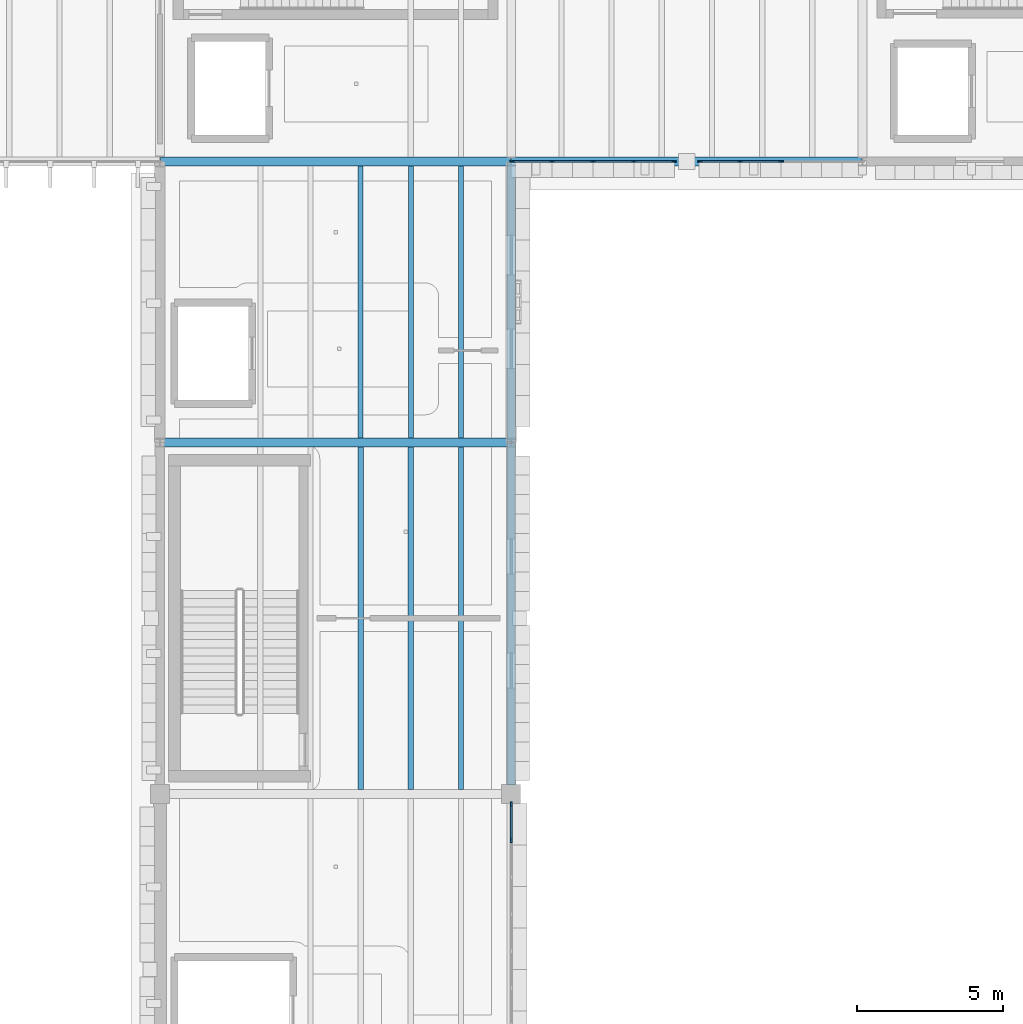
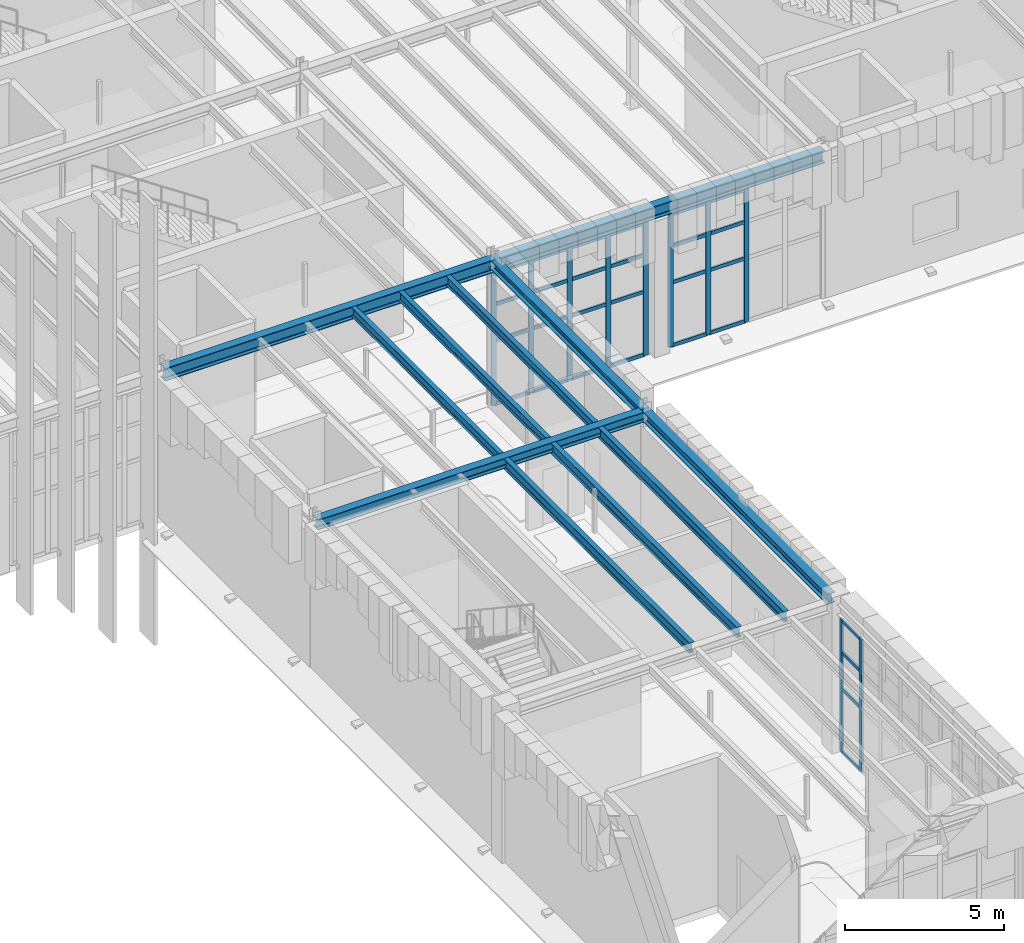
# One storey, part 31 of 83: 38 members, 11 beams, 3 elements without a shape of their own.
"""IFC4 building model written with IfcOpenShell, lengths in metres."""

from ifc_helpers import new_model, si_unit, direction, frame, origin, origin_2d, place, context, subcontext, project, spatial, rectangle, i_section, extrude, material, layer, layer_set, material_profile, profile_set, type_object, element, aggregate, save


model = new_model("IFC4")

# Units and contexts
model_context = context("Model", 3, precision=1e-05, world=origin(), true_north=direction((0.0, 1.0)))
body_context = subcontext(model_context, "Body", "Model", "MODEL_VIEW")
ifc_project = project(units=[si_unit("LENGTHUNIT", "METRE"), si_unit("AREAUNIT", "SQUARE_METRE"), si_unit("VOLUMEUNIT", "CUBIC_METRE"), si_unit("PLANEANGLEUNIT", "RADIAN"), si_unit("MASSUNIT", "GRAM", prefix="KILO")], contexts=[model_context])

# Site, building, storey
site_placement = place(None, origin())
site = spatial("IfcSite", under=ifc_project, at=site_placement, CompositionType="ELEMENT")
building_placement = place(site_placement, origin())
building = spatial("IfcBuilding", under=site, at=building_placement, Name="Zlatogorsky Bluff Art Gallery", CompositionType="ELEMENT")
storey_placement = place(building_placement, frame((0.0, 0.0, 10.800048828125)))
storey = spatial("IfcBuildingStorey", under=building, at=storey_placement, Name="L02", CompositionType="ELEMENT", Elevation=10.800048828125)

# Beams
ifc_material_1 = material(Name="Steel S355", Category="steel")
ifc_material_profile_1 = material_profile(ifc_material_1, i_section(OverallWidth=0.300048828125, OverallDepth=0.489990234375, WebThickness=0.011962890625, FlangeThickness=0.02294921875, FilletRadius=0.027099609375, at=origin_2d()), Name="HEA 500")
ifc_profile_set_1 = profile_set([ifc_material_profile_1], Name="Steel S355")
beam_type_1 = type_object("IfcBeamType", Name="Beam BM-07 HEA 500", PredefinedType="BEAM", material=ifc_profile_set_1)
for number, where, z_axis, x_axis, name in (
    (1, (120.014892578125, 84.0, 5.445068359375), (1.0, 0.0, 0.0), (0.0, 1.0, 0.0), "Primary girder BM-07 L02 L-M/9"),
    (2, (132.014892578125, 84.0, 5.445068359375), (1.0, 0.0, 0.0), (0.0, 1.0, 0.0), "Primary girder BM-07 L02 M-N/9"),
):
    element("IfcBeam", number, at=place(storey_placement, frame(where, z_axis=z_axis, x_axis=x_axis)), inside=storey, type_object=beam_type_1, Name=name, PredefinedType="BEAM", context=body_context, shape_type="SweptSolid", body=[
        extrude(i_section(OverallWidth=0.300048828125, OverallDepth=0.489990234375, WebThickness=0.011962890625, FlangeThickness=0.02294921875, FilletRadius=0.027099609375, at=origin_2d()), origin(), (0.0, 0.0, 1.0), 11.97021484375),
    ])
ifc_material_profile_2 = material_profile(ifc_material_1, i_section(OverallWidth=0.300048828125, OverallDepth=0.389892578125, WebThickness=0.010986328125, FlangeThickness=0.01904296875, FilletRadius=0.027099609375, at=origin_2d()), Name="HEA 400")
ifc_profile_set_2 = profile_set([ifc_material_profile_2], Name="Steel S355")
beam_type_2 = type_object("IfcBeamType", Name="Beam BM-09 HEA 400", PredefinedType="BEAM", material=ifc_profile_set_2)
beam_1_placement = place(storey_placement, frame((120.014892578125, 74.39990234375, 5.494873046875), z_axis=(1.0, 0.0, 0.0), x_axis=(0.0, 1.0, 0.0)))
element("IfcBeam", 3, at=beam_1_placement, inside=storey, type_object=beam_type_2, Name="Primary girder BM-09 L02 L-M/8", PredefinedType="BEAM", context=body_context, shape_type="SweptSolid", body=[
    extrude(i_section(OverallWidth=0.300048828125, OverallDepth=0.389892578125, WebThickness=0.010986328125, FlangeThickness=0.01904296875, FilletRadius=0.027099609375, at=origin_2d()), origin(), (0.0, 0.0, 1.0), 11.97021484375),
])
beam_2_placement = place(storey_placement, frame((132.0, 62.705078125, 5.494873046875), z_axis=(0.0, 1.0, 0.0), x_axis=(-1.0, 0.0, 0.0)))
element("IfcBeam", 4, at=beam_2_placement, inside=storey, type_object=beam_type_2, Name="Primary girder BM-09 L02 M/7-8", PredefinedType="BEAM", context=body_context, shape_type="SweptSolid", body=[
    extrude(i_section(OverallWidth=0.300048828125, OverallDepth=0.389892578125, WebThickness=0.010986328125, FlangeThickness=0.01904296875, FilletRadius=0.027099609375, at=origin_2d()), origin(), (0.0, 0.0, 1.0), 11.679931640625),
])
ifc_material_profile_3 = material_profile(ifc_material_1, i_section(OverallWidth=0.300048828125, OverallDepth=0.35009765625, WebThickness=0.010009765625, FlangeThickness=0.017578125, FilletRadius=0.027099609375, at=origin_2d()), Name="HEA 360")
ifc_profile_set_3 = profile_set([ifc_material_profile_3], Name="Steel S355")
beam_type_3 = type_object("IfcBeamType", Name="Beam BM-10 HEA 360", PredefinedType="BEAM", material=ifc_profile_set_3)
beam_3_placement = place(storey_placement, frame((132.0, 74.4150390625, 5.514892578125), z_axis=(0.0, 1.0, 0.0), x_axis=(-1.0, 0.0, 0.0)))
element("IfcBeam", 5, at=beam_3_placement, inside=storey, type_object=beam_type_3, Name="Primary girder BM-10 L02 M/8-9", PredefinedType="BEAM", context=body_context, shape_type="SweptSolid", body=[
    extrude(i_section(OverallWidth=0.300048828125, OverallDepth=0.35009765625, WebThickness=0.010009765625, FlangeThickness=0.017578125, FilletRadius=0.027099609375, at=origin_2d()), origin(), (0.0, 0.0, 1.0), 9.570068359375),
])
ifc_material_profile_4 = material_profile(ifc_material_1, i_section(OverallWidth=0.169921875, OverallDepth=0.360107421875, WebThickness=0.008056640625, FlangeThickness=0.0126953125, FilletRadius=0.01806640625, at=origin_2d()), Name="IPE 360")
ifc_profile_set_4 = profile_set([ifc_material_profile_4], Name="Steel S355")
beam_type_4 = type_object("IfcBeamType", Name="Beam JS-04 IPE 360", PredefinedType="JOIST", material=ifc_profile_set_4)
for number, where, z_axis, x_axis, name in (
    (6, (126.857177734375, 74.550048828125, 5.510009765625), (0.0, 1.0, 0.0), (-1.0, 0.0, 0.0), "Composite floor joist JS-04 L02 10.07.4"),
    (7, (128.571533203125, 74.550048828125, 5.510009765625), (0.0, 1.0, 0.0), (-1.0, 0.0, 0.0), "Composite floor joist JS-04 L02 10.07.5"),
    (8, (130.28564453125, 74.550048828125, 5.510009765625), (0.0, 1.0, 0.0), (-1.0, 0.0, 0.0), "Composite floor joist JS-04 L02 10.07.6"),
):
    element("IfcBeam", number, at=place(storey_placement, frame(where, z_axis=z_axis, x_axis=x_axis)), inside=storey, type_object=beam_type_4, Name=name, PredefinedType="JOIST", context=body_context, shape_type="SweptSolid", body=[
        extrude(i_section(OverallWidth=0.169921875, OverallDepth=0.360107421875, WebThickness=0.008056640625, FlangeThickness=0.0126953125, FilletRadius=0.01806640625, at=origin_2d()), origin(), (0.0, 0.0, 1.0), 9.300048828125),
    ])
ifc_material_profile_5 = material_profile(ifc_material_1, i_section(OverallWidth=0.179931640625, OverallDepth=0.39990234375, WebThickness=0.008544921875, FlangeThickness=0.013427734375, FilletRadius=0.02099609375, at=origin_2d()), Name="IPE 400")
ifc_profile_set_5 = profile_set([ifc_material_profile_5], Name="Steel S355")
beam_type_5 = type_object("IfcBeamType", Name="Beam JS-05 IPE 400", PredefinedType="JOIST", material=ifc_profile_set_5)
for number, where, z_axis, x_axis, name in (
    (9, (126.857177734375, 62.550048828125, 5.489990234375), (0.0, 1.0, 0.0), (-1.0, 0.0, 0.0), "Composite floor joist JS-05 L02 10.06.4"),
    (10, (128.571533203125, 62.550048828125, 5.489990234375), (0.0, 1.0, 0.0), (-1.0, 0.0, 0.0), "Composite floor joist JS-05 L02 10.06.5"),
    (11, (130.28564453125, 62.550048828125, 5.489990234375), (0.0, 1.0, 0.0), (-1.0, 0.0, 0.0), "Composite floor joist JS-05 L02 10.06.6"),
):
    element("IfcBeam", number, at=place(storey_placement, frame(where, z_axis=z_axis, x_axis=x_axis)), inside=storey, type_object=beam_type_5, Name=name, PredefinedType="JOIST", context=body_context, shape_type="SweptSolid", body=[
        extrude(i_section(OverallWidth=0.179931640625, OverallDepth=0.39990234375, WebThickness=0.008544921875, FlangeThickness=0.013427734375, FilletRadius=0.02099609375, at=origin_2d()), origin(), (0.0, 0.0, 1.0), 11.699951171875),
    ])

# Curtain wall, members
ifc_material_2 = material(Name="Anodised Bronze Aluminium and Low-Iron Triple Glazing", Category="aluminium")
ifc_layer_1 = layer(ifc_material_2, 0.179931640625)
ifc_layer_set_1 = layer_set([ifc_layer_1], Name="Curtain Wall CW-03")
curtain_wall_type_1 = type_object("IfcCurtainWallType", Name="Curtain Wall CW-03", PredefinedType="USERDEFINED", material=ifc_layer_set_1)
curtain_wall_1_placement = place(storey_placement, origin())
curtain_wall_1 = element("IfcCurtainWall", 12, at=curtain_wall_1_placement, inside=storey, type_object=curtain_wall_type_1, Name="Unitised curtain wall CW-03 L02 E 10.5", ObjectType="CURTAIN WALL", PredefinedType="USERDEFINED")
ifc_material_3 = material(Name="Anodised Bronze Aluminium", Category="aluminium")
ifc_material_profile_6 = material_profile(ifc_material_3, rectangle(XDim=0.06494140625, YDim=0.179931640625, at=origin_2d()), Name="ALU MULLION 65x180")
ifc_profile_set_6 = profile_set([ifc_material_profile_6], Name="Anodised Bronze Aluminium")
member_type_1 = type_object("IfcMemberType", Name="Curtain Mullion ML-01", PredefinedType="MULLION", material=ifc_profile_set_6)
member_1_placement = place(storey_placement, frame((132.0, 60.81787109375, 0.0), z_axis=(0.0, 0.0, 1.0), x_axis=(-1.0, 0.0, 0.0)))
member_1 = element("IfcMember", 13, at=member_1_placement, type_object=member_type_1, Name="CW-03 mullion 9", PredefinedType="MULLION", context=body_context, shape_type="SweptSolid", body=[
    extrude(rectangle(XDim=0.06494140625, YDim=0.179931640625, at=origin_2d()), origin(), (0.0, 0.0, 1.0), 5.10986328125),
])
member_2_placement = place(storey_placement, frame((132.0, 62.047607421875, 0.0), z_axis=(0.0, 0.0, 1.0), x_axis=(-1.0, 0.0, 0.0)))
member_2 = element("IfcMember", 14, at=member_2_placement, type_object=member_type_1, Name="CW-03 mullion 10", PredefinedType="MULLION", context=body_context, shape_type="SweptSolid", body=[
    extrude(rectangle(XDim=0.06494140625, YDim=0.179931640625, at=origin_2d()), origin(), (0.0, 0.0, 1.0), 5.10986328125),
])

ifc_layer_2 = layer(ifc_material_2, 0.199951171875)
ifc_layer_set_2 = layer_set([ifc_layer_2], Name="Curtain Wall CW-02")
curtain_wall_type_2 = type_object("IfcCurtainWallType", Name="Curtain Wall CW-02", PredefinedType="USERDEFINED", material=ifc_layer_set_2)
curtain_wall_2_placement = place(storey_placement, origin())
curtain_wall_2 = element("IfcCurtainWall", 15, at=curtain_wall_2_placement, inside=storey, type_object=curtain_wall_type_2, Name="Unitised curtain wall CW-02 L02 S 11.8-A", ObjectType="CURTAIN WALL", PredefinedType="USERDEFINED")
member_3_placement = place(storey_placement, frame((132.032470703125, 84.0, 0.0), z_axis=(0.0, 0.0, 1.0), x_axis=(0.0, 1.0, 0.0)))
member_3 = element("IfcMember", 16, at=member_3_placement, type_object=member_type_1, Name="CW-02 mullion 1", PredefinedType="MULLION", context=body_context, shape_type="SweptSolid", body=[
    extrude(rectangle(XDim=0.06494140625, YDim=0.179931640625, at=origin_2d()), origin(), (0.0, 0.0, 1.0), 5.10986328125),
])
member_4_placement = place(storey_placement, frame((133.39501953125, 84.0, 0.0), z_axis=(0.0, 0.0, 1.0), x_axis=(0.0, 1.0, 0.0)))
member_4 = element("IfcMember", 17, at=member_4_placement, type_object=member_type_1, Name="CW-02 mullion 2", PredefinedType="MULLION", context=body_context, shape_type="SweptSolid", body=[
    extrude(rectangle(XDim=0.06494140625, YDim=0.179931640625, at=origin_2d()), origin(), (0.0, 0.0, 1.0), 5.10986328125),
])
member_5_placement = place(storey_placement, frame((134.7900390625, 84.0, 0.0), z_axis=(0.0, 0.0, 1.0), x_axis=(0.0, 1.0, 0.0)))
member_5 = element("IfcMember", 18, at=member_5_placement, type_object=member_type_1, Name="CW-02 mullion 3", PredefinedType="MULLION", context=body_context, shape_type="SweptSolid", body=[
    extrude(rectangle(XDim=0.06494140625, YDim=0.179931640625, at=origin_2d()), origin(), (0.0, 0.0, 1.0), 5.10986328125),
])
member_6_placement = place(storey_placement, frame((136.18505859375, 84.0, 0.0), z_axis=(0.0, 0.0, 1.0), x_axis=(0.0, 1.0, 0.0)))
member_6 = element("IfcMember", 19, at=member_6_placement, type_object=member_type_1, Name="CW-02 mullion 4", PredefinedType="MULLION", context=body_context, shape_type="SweptSolid", body=[
    extrude(rectangle(XDim=0.06494140625, YDim=0.179931640625, at=origin_2d()), origin(), (0.0, 0.0, 1.0), 5.10986328125),
])
member_7_placement = place(storey_placement, frame((137.547607421875, 84.0, 0.0), z_axis=(0.0, 0.0, 1.0), x_axis=(0.0, 1.0, 0.0)))
member_7 = element("IfcMember", 20, at=member_7_placement, type_object=member_type_1, Name="CW-02 mullion 5", PredefinedType="MULLION", context=body_context, shape_type="SweptSolid", body=[
    extrude(rectangle(XDim=0.06494140625, YDim=0.179931640625, at=origin_2d()), origin(), (0.0, 0.0, 1.0), 5.10986328125),
])

curtain_wall_3_placement = place(storey_placement, origin())
curtain_wall_3 = element("IfcCurtainWall", 21, at=curtain_wall_3_placement, inside=storey, type_object=curtain_wall_type_2, Name="Unitised curtain wall CW-02 L02 S 11.8-B", ObjectType="CURTAIN WALL", PredefinedType="USERDEFINED")
member_8_placement = place(storey_placement, frame((138.452392578125, 84.0, 0.0), z_axis=(0.0, 0.0, 1.0), x_axis=(0.0, 1.0, 0.0)))
member_8 = element("IfcMember", 22, at=member_8_placement, type_object=member_type_1, Name="CW-02 mullion 1", PredefinedType="MULLION", context=body_context, shape_type="SweptSolid", body=[
    extrude(rectangle(XDim=0.06494140625, YDim=0.179931640625, at=origin_2d()), origin(), (0.0, 0.0, 1.0), 5.10986328125),
])
member_9_placement = place(storey_placement, frame((139.81494140625, 84.0, 0.0), z_axis=(0.0, 0.0, 1.0), x_axis=(0.0, 1.0, 0.0)))
member_9 = element("IfcMember", 23, at=member_9_placement, type_object=member_type_1, Name="CW-02 mullion 2", PredefinedType="MULLION", context=body_context, shape_type="SweptSolid", body=[
    extrude(rectangle(XDim=0.06494140625, YDim=0.179931640625, at=origin_2d()), origin(), (0.0, 0.0, 1.0), 5.10986328125),
])
member_10_placement = place(storey_placement, frame((141.2099609375, 84.0, 0.0), z_axis=(0.0, 0.0, 1.0), x_axis=(0.0, 1.0, 0.0)))
member_10 = element("IfcMember", 24, at=member_10_placement, type_object=member_type_1, Name="CW-02 mullion 3", PredefinedType="MULLION", context=body_context, shape_type="SweptSolid", body=[
    extrude(rectangle(XDim=0.06494140625, YDim=0.179931640625, at=origin_2d()), origin(), (0.0, 0.0, 1.0), 5.10986328125),
])

# Member
ifc_material_profile_7 = material_profile(ifc_material_3, rectangle(XDim=0.06494140625, YDim=0.139892578125, at=origin_2d()), Name="ALU TRANSOM 65x140")
ifc_profile_set_7 = profile_set([ifc_material_profile_7], Name="Anodised Bronze Aluminium")
member_type_2 = type_object("IfcMemberType", Name="Curtain Transom TR-01", PredefinedType="USERDEFINED", material=ifc_profile_set_7)
member_11_placement = place(storey_placement, frame((132.0, 60.850341796875, 0.032470703125), z_axis=(0.0, 1.0, 0.0), x_axis=(-1.0, 0.0, 0.0)))
member_11 = element("IfcMember", 25, at=member_11_placement, type_object=member_type_2, Name="CW-03 transom 9.1", ObjectType="TRANSOM", PredefinedType="USERDEFINED", context=body_context, shape_type="SweptSolid", body=[
    extrude(rectangle(XDim=0.06494140625, YDim=0.139892578125, at=origin_2d()), origin(), (0.0, 0.0, 1.0), 1.16455078125),
])

member_12_placement = place(storey_placement, frame((132.0, 60.850341796875, 2.449951171875), z_axis=(0.0, 1.0, 0.0), x_axis=(-1.0, 0.0, 0.0)))
member_12 = element("IfcMember", 26, at=member_12_placement, type_object=member_type_2, Name="CW-03 transom 9.2", ObjectType="TRANSOM", PredefinedType="USERDEFINED", context=body_context, shape_type="SweptSolid", body=[
    extrude(rectangle(XDim=0.06494140625, YDim=0.139892578125, at=origin_2d()), origin(), (0.0, 0.0, 1.0), 1.16455078125),
])

member_13_placement = place(storey_placement, frame((132.0, 60.850341796875, 3.849853515625), z_axis=(0.0, 1.0, 0.0), x_axis=(-1.0, 0.0, 0.0)))
member_13 = element("IfcMember", 27, at=member_13_placement, type_object=member_type_2, Name="CW-03 transom 9.3", ObjectType="TRANSOM", PredefinedType="USERDEFINED", context=body_context, shape_type="SweptSolid", body=[
    extrude(rectangle(XDim=0.06494140625, YDim=0.139892578125, at=origin_2d()), origin(), (0.0, 0.0, 1.0), 1.16455078125),
])

member_14_placement = place(storey_placement, frame((132.0, 60.850341796875, 5.077392578125), z_axis=(0.0, 1.0, 0.0), x_axis=(-1.0, 0.0, 0.0)))
member_14 = element("IfcMember", 28, at=member_14_placement, type_object=member_type_2, Name="CW-03 transom 9.4", ObjectType="TRANSOM", PredefinedType="USERDEFINED", context=body_context, shape_type="SweptSolid", body=[
    extrude(rectangle(XDim=0.06494140625, YDim=0.139892578125, at=origin_2d()), origin(), (0.0, 0.0, 1.0), 1.16455078125),
])

aggregate(curtain_wall_1, [member_1, member_2, member_11, member_12, member_13, member_14])

member_15_placement = place(storey_placement, frame((132.06494140625, 84.0, 0.032470703125), z_axis=(1.0, 0.0, 0.0), x_axis=(0.0, 1.0, 0.0)))
member_15 = element("IfcMember", 29, at=member_15_placement, type_object=member_type_2, Name="CW-02 transom 1.1", ObjectType="TRANSOM", PredefinedType="USERDEFINED", context=body_context, shape_type="SweptSolid", body=[
    extrude(rectangle(XDim=0.06494140625, YDim=0.139892578125, at=origin_2d()), origin(), (0.0, 0.0, 1.0), 1.297607421875),
])

member_16_placement = place(storey_placement, frame((132.06494140625, 84.0, 2.449951171875), z_axis=(1.0, 0.0, 0.0), x_axis=(0.0, 1.0, 0.0)))
member_16 = element("IfcMember", 30, at=member_16_placement, type_object=member_type_2, Name="CW-02 transom 1.2", ObjectType="TRANSOM", PredefinedType="USERDEFINED", context=body_context, shape_type="SweptSolid", body=[
    extrude(rectangle(XDim=0.06494140625, YDim=0.139892578125, at=origin_2d()), origin(), (0.0, 0.0, 1.0), 1.297607421875),
])

member_17_placement = place(storey_placement, frame((132.06494140625, 84.0, 3.849853515625), z_axis=(1.0, 0.0, 0.0), x_axis=(0.0, 1.0, 0.0)))
member_17 = element("IfcMember", 31, at=member_17_placement, type_object=member_type_2, Name="CW-02 transom 1.3", ObjectType="TRANSOM", PredefinedType="USERDEFINED", context=body_context, shape_type="SweptSolid", body=[
    extrude(rectangle(XDim=0.06494140625, YDim=0.139892578125, at=origin_2d()), origin(), (0.0, 0.0, 1.0), 1.297607421875),
])

member_18_placement = place(storey_placement, frame((132.06494140625, 84.0, 5.077392578125), z_axis=(1.0, 0.0, 0.0), x_axis=(0.0, 1.0, 0.0)))
member_18 = element("IfcMember", 32, at=member_18_placement, type_object=member_type_2, Name="CW-02 transom 1.4", ObjectType="TRANSOM", PredefinedType="USERDEFINED", context=body_context, shape_type="SweptSolid", body=[
    extrude(rectangle(XDim=0.06494140625, YDim=0.139892578125, at=origin_2d()), origin(), (0.0, 0.0, 1.0), 1.297607421875),
])

member_19_placement = place(storey_placement, frame((133.427490234375, 84.0, 0.032470703125), z_axis=(1.0, 0.0, 0.0), x_axis=(0.0, 1.0, 0.0)))
member_19 = element("IfcMember", 33, at=member_19_placement, type_object=member_type_2, Name="CW-02 transom 2.1", ObjectType="TRANSOM", PredefinedType="USERDEFINED", context=body_context, shape_type="SweptSolid", body=[
    extrude(rectangle(XDim=0.06494140625, YDim=0.139892578125, at=origin_2d()), origin(), (0.0, 0.0, 1.0), 1.330078125),
])

member_20_placement = place(storey_placement, frame((133.427490234375, 84.0, 2.449951171875), z_axis=(1.0, 0.0, 0.0), x_axis=(0.0, 1.0, 0.0)))
member_20 = element("IfcMember", 34, at=member_20_placement, type_object=member_type_2, Name="CW-02 transom 2.2", ObjectType="TRANSOM", PredefinedType="USERDEFINED", context=body_context, shape_type="SweptSolid", body=[
    extrude(rectangle(XDim=0.06494140625, YDim=0.139892578125, at=origin_2d()), origin(), (0.0, 0.0, 1.0), 1.330078125),
])

member_21_placement = place(storey_placement, frame((133.427490234375, 84.0, 3.849853515625), z_axis=(1.0, 0.0, 0.0), x_axis=(0.0, 1.0, 0.0)))
member_21 = element("IfcMember", 35, at=member_21_placement, type_object=member_type_2, Name="CW-02 transom 2.3", ObjectType="TRANSOM", PredefinedType="USERDEFINED", context=body_context, shape_type="SweptSolid", body=[
    extrude(rectangle(XDim=0.06494140625, YDim=0.139892578125, at=origin_2d()), origin(), (0.0, 0.0, 1.0), 1.330078125),
])

member_22_placement = place(storey_placement, frame((133.427490234375, 84.0, 5.077392578125), z_axis=(1.0, 0.0, 0.0), x_axis=(0.0, 1.0, 0.0)))
member_22 = element("IfcMember", 36, at=member_22_placement, type_object=member_type_2, Name="CW-02 transom 2.4", ObjectType="TRANSOM", PredefinedType="USERDEFINED", context=body_context, shape_type="SweptSolid", body=[
    extrude(rectangle(XDim=0.06494140625, YDim=0.139892578125, at=origin_2d()), origin(), (0.0, 0.0, 1.0), 1.330078125),
])

member_23_placement = place(storey_placement, frame((134.822509765625, 84.0, 0.032470703125), z_axis=(1.0, 0.0, 0.0), x_axis=(0.0, 1.0, 0.0)))
member_23 = element("IfcMember", 37, at=member_23_placement, type_object=member_type_2, Name="CW-02 transom 3.1", ObjectType="TRANSOM", PredefinedType="USERDEFINED", context=body_context, shape_type="SweptSolid", body=[
    extrude(rectangle(XDim=0.06494140625, YDim=0.139892578125, at=origin_2d()), origin(), (0.0, 0.0, 1.0), 1.330078125),
])

member_24_placement = place(storey_placement, frame((134.822509765625, 84.0, 2.449951171875), z_axis=(1.0, 0.0, 0.0), x_axis=(0.0, 1.0, 0.0)))
member_24 = element("IfcMember", 38, at=member_24_placement, type_object=member_type_2, Name="CW-02 transom 3.2", ObjectType="TRANSOM", PredefinedType="USERDEFINED", context=body_context, shape_type="SweptSolid", body=[
    extrude(rectangle(XDim=0.06494140625, YDim=0.139892578125, at=origin_2d()), origin(), (0.0, 0.0, 1.0), 1.330078125),
])

member_25_placement = place(storey_placement, frame((134.822509765625, 84.0, 3.849853515625), z_axis=(1.0, 0.0, 0.0), x_axis=(0.0, 1.0, 0.0)))
member_25 = element("IfcMember", 39, at=member_25_placement, type_object=member_type_2, Name="CW-02 transom 3.3", ObjectType="TRANSOM", PredefinedType="USERDEFINED", context=body_context, shape_type="SweptSolid", body=[
    extrude(rectangle(XDim=0.06494140625, YDim=0.139892578125, at=origin_2d()), origin(), (0.0, 0.0, 1.0), 1.330078125),
])

member_26_placement = place(storey_placement, frame((134.822509765625, 84.0, 5.077392578125), z_axis=(1.0, 0.0, 0.0), x_axis=(0.0, 1.0, 0.0)))
member_26 = element("IfcMember", 40, at=member_26_placement, type_object=member_type_2, Name="CW-02 transom 3.4", ObjectType="TRANSOM", PredefinedType="USERDEFINED", context=body_context, shape_type="SweptSolid", body=[
    extrude(rectangle(XDim=0.06494140625, YDim=0.139892578125, at=origin_2d()), origin(), (0.0, 0.0, 1.0), 1.330078125),
])

member_27_placement = place(storey_placement, frame((136.217529296875, 84.0, 0.032470703125), z_axis=(1.0, 0.0, 0.0), x_axis=(0.0, 1.0, 0.0)))
member_27 = element("IfcMember", 41, at=member_27_placement, type_object=member_type_2, Name="CW-02 transom 4.1", ObjectType="TRANSOM", PredefinedType="USERDEFINED", context=body_context, shape_type="SweptSolid", body=[
    extrude(rectangle(XDim=0.06494140625, YDim=0.139892578125, at=origin_2d()), origin(), (0.0, 0.0, 1.0), 1.29736328125),
])

member_28_placement = place(storey_placement, frame((136.217529296875, 84.0, 2.449951171875), z_axis=(1.0, 0.0, 0.0), x_axis=(0.0, 1.0, 0.0)))
member_28 = element("IfcMember", 42, at=member_28_placement, type_object=member_type_2, Name="CW-02 transom 4.2", ObjectType="TRANSOM", PredefinedType="USERDEFINED", context=body_context, shape_type="SweptSolid", body=[
    extrude(rectangle(XDim=0.06494140625, YDim=0.139892578125, at=origin_2d()), origin(), (0.0, 0.0, 1.0), 1.29736328125),
])

member_29_placement = place(storey_placement, frame((136.217529296875, 84.0, 3.849853515625), z_axis=(1.0, 0.0, 0.0), x_axis=(0.0, 1.0, 0.0)))
member_29 = element("IfcMember", 43, at=member_29_placement, type_object=member_type_2, Name="CW-02 transom 4.3", ObjectType="TRANSOM", PredefinedType="USERDEFINED", context=body_context, shape_type="SweptSolid", body=[
    extrude(rectangle(XDim=0.06494140625, YDim=0.139892578125, at=origin_2d()), origin(), (0.0, 0.0, 1.0), 1.29736328125),
])

member_30_placement = place(storey_placement, frame((136.217529296875, 84.0, 5.077392578125), z_axis=(1.0, 0.0, 0.0), x_axis=(0.0, 1.0, 0.0)))
member_30 = element("IfcMember", 44, at=member_30_placement, type_object=member_type_2, Name="CW-02 transom 4.4", ObjectType="TRANSOM", PredefinedType="USERDEFINED", context=body_context, shape_type="SweptSolid", body=[
    extrude(rectangle(XDim=0.06494140625, YDim=0.139892578125, at=origin_2d()), origin(), (0.0, 0.0, 1.0), 1.29736328125),
])

aggregate(curtain_wall_2, [member_3, member_4, member_5, member_6, member_7, member_15, member_16, member_17, member_18, member_19, member_20, member_21, member_22, member_23, member_24, member_25, member_26, member_27, member_28, member_29, member_30])

member_31_placement = place(storey_placement, frame((138.485107421875, 84.0, 0.032470703125), z_axis=(1.0, 0.0, 0.0), x_axis=(0.0, 1.0, 0.0)))
member_31 = element("IfcMember", 45, at=member_31_placement, type_object=member_type_2, Name="CW-02 transom 1.1", ObjectType="TRANSOM", PredefinedType="USERDEFINED", context=body_context, shape_type="SweptSolid", body=[
    extrude(rectangle(XDim=0.06494140625, YDim=0.139892578125, at=origin_2d()), origin(), (0.0, 0.0, 1.0), 1.29736328125),
])

member_32_placement = place(storey_placement, frame((138.485107421875, 84.0, 2.449951171875), z_axis=(1.0, 0.0, 0.0), x_axis=(0.0, 1.0, 0.0)))
member_32 = element("IfcMember", 46, at=member_32_placement, type_object=member_type_2, Name="CW-02 transom 1.2", ObjectType="TRANSOM", PredefinedType="USERDEFINED", context=body_context, shape_type="SweptSolid", body=[
    extrude(rectangle(XDim=0.06494140625, YDim=0.139892578125, at=origin_2d()), origin(), (0.0, 0.0, 1.0), 1.29736328125),
])

member_33_placement = place(storey_placement, frame((138.485107421875, 84.0, 3.849853515625), z_axis=(1.0, 0.0, 0.0), x_axis=(0.0, 1.0, 0.0)))
member_33 = element("IfcMember", 47, at=member_33_placement, type_object=member_type_2, Name="CW-02 transom 1.3", ObjectType="TRANSOM", PredefinedType="USERDEFINED", context=body_context, shape_type="SweptSolid", body=[
    extrude(rectangle(XDim=0.06494140625, YDim=0.139892578125, at=origin_2d()), origin(), (0.0, 0.0, 1.0), 1.29736328125),
])

member_34_placement = place(storey_placement, frame((138.485107421875, 84.0, 5.077392578125), z_axis=(1.0, 0.0, 0.0), x_axis=(0.0, 1.0, 0.0)))
member_34 = element("IfcMember", 48, at=member_34_placement, type_object=member_type_2, Name="CW-02 transom 1.4", ObjectType="TRANSOM", PredefinedType="USERDEFINED", context=body_context, shape_type="SweptSolid", body=[
    extrude(rectangle(XDim=0.06494140625, YDim=0.139892578125, at=origin_2d()), origin(), (0.0, 0.0, 1.0), 1.29736328125),
])

member_35_placement = place(storey_placement, frame((139.847412109375, 84.0, 0.032470703125), z_axis=(1.0, 0.0, 0.0), x_axis=(0.0, 1.0, 0.0)))
member_35 = element("IfcMember", 49, at=member_35_placement, type_object=member_type_2, Name="CW-02 transom 2.1", ObjectType="TRANSOM", PredefinedType="USERDEFINED", context=body_context, shape_type="SweptSolid", body=[
    extrude(rectangle(XDim=0.06494140625, YDim=0.139892578125, at=origin_2d()), origin(), (0.0, 0.0, 1.0), 1.330078125),
])

member_36_placement = place(storey_placement, frame((139.847412109375, 84.0, 2.449951171875), z_axis=(1.0, 0.0, 0.0), x_axis=(0.0, 1.0, 0.0)))
member_36 = element("IfcMember", 50, at=member_36_placement, type_object=member_type_2, Name="CW-02 transom 2.2", ObjectType="TRANSOM", PredefinedType="USERDEFINED", context=body_context, shape_type="SweptSolid", body=[
    extrude(rectangle(XDim=0.06494140625, YDim=0.139892578125, at=origin_2d()), origin(), (0.0, 0.0, 1.0), 1.330078125),
])

member_37_placement = place(storey_placement, frame((139.847412109375, 84.0, 3.849853515625), z_axis=(1.0, 0.0, 0.0), x_axis=(0.0, 1.0, 0.0)))
member_37 = element("IfcMember", 51, at=member_37_placement, type_object=member_type_2, Name="CW-02 transom 2.3", ObjectType="TRANSOM", PredefinedType="USERDEFINED", context=body_context, shape_type="SweptSolid", body=[
    extrude(rectangle(XDim=0.06494140625, YDim=0.139892578125, at=origin_2d()), origin(), (0.0, 0.0, 1.0), 1.330078125),
])

member_38_placement = place(storey_placement, frame((139.847412109375, 84.0, 5.077392578125), z_axis=(1.0, 0.0, 0.0), x_axis=(0.0, 1.0, 0.0)))
member_38 = element("IfcMember", 52, at=member_38_placement, type_object=member_type_2, Name="CW-02 transom 2.4", ObjectType="TRANSOM", PredefinedType="USERDEFINED", context=body_context, shape_type="SweptSolid", body=[
    extrude(rectangle(XDim=0.06494140625, YDim=0.139892578125, at=origin_2d()), origin(), (0.0, 0.0, 1.0), 1.330078125),
])

aggregate(curtain_wall_3, [member_8, member_9, member_10, member_31, member_32, member_33, member_34, member_35, member_36, member_37, member_38])

save(model, "model.ifc")
